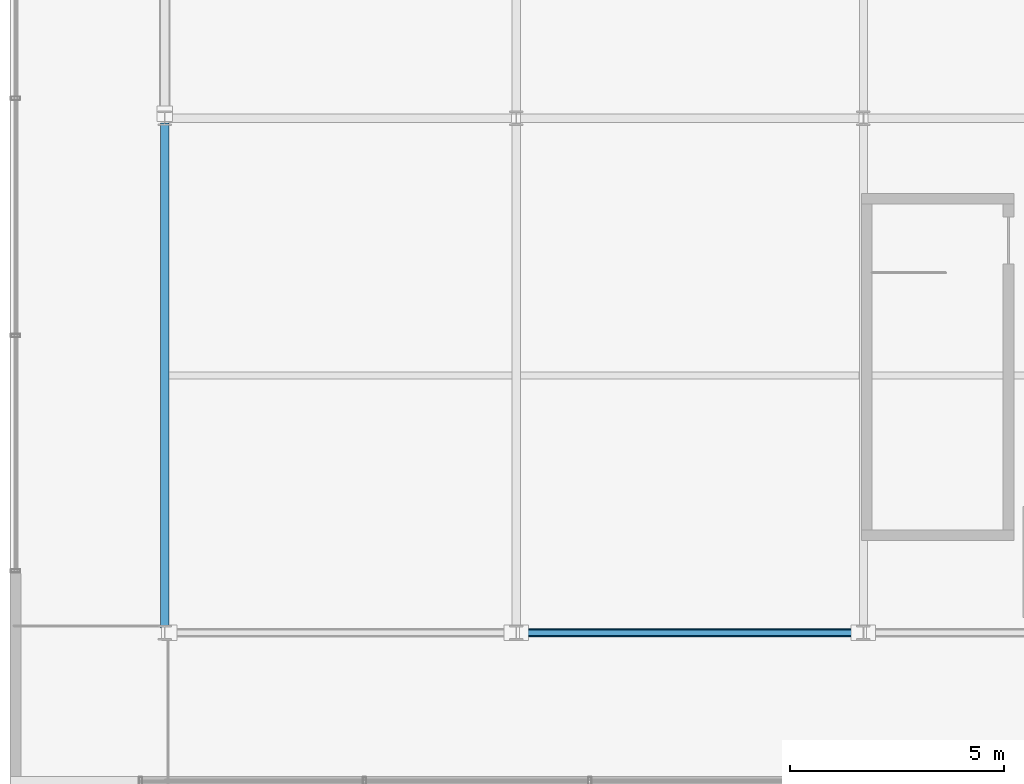
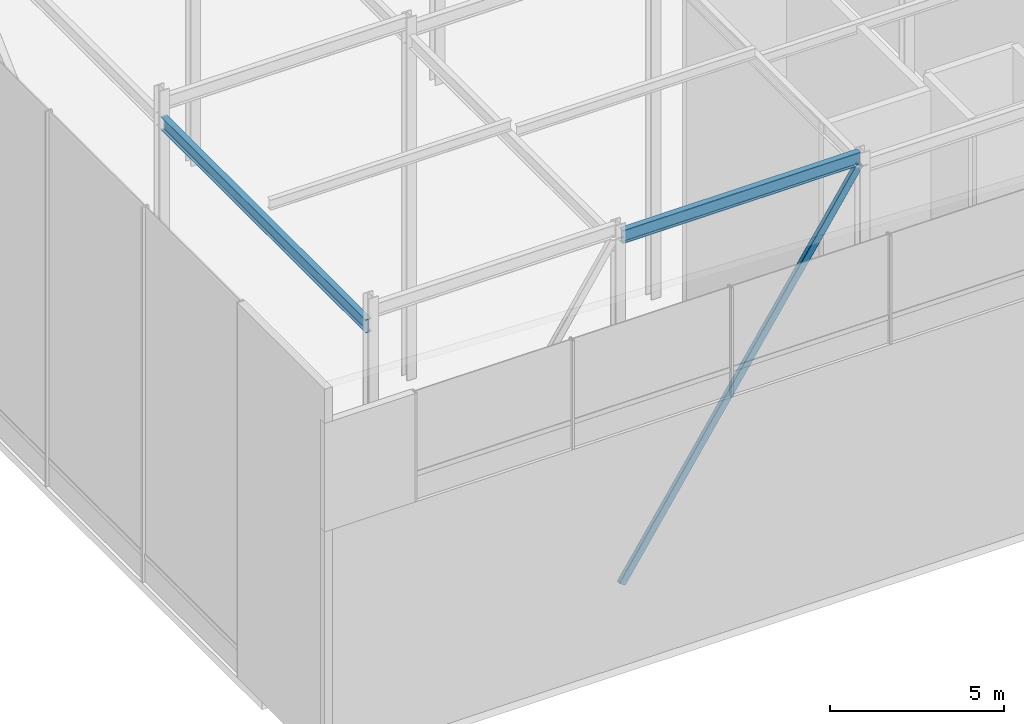
# One storey, part 6 of 39: 2 beams, 1 member.
"""IFC4 building model written with IfcOpenShell, lengths in metres."""

from ifc_helpers import new_model, si_unit, direction, frame, origin, origin_2d, place, context, subcontext, project, spatial, hollow_rectangle, i_section, extrude, material, material_profile, profile_set, type_object, element, save


model = new_model("IFC4")

# Units and contexts
model_context = context("Model", 3, precision=1e-05, world=origin(), true_north=direction((0.0, 1.0)))
body_context = subcontext(model_context, "Body", "Model", "MODEL_VIEW")
ifc_project = project(units=[si_unit("LENGTHUNIT", "METRE"), si_unit("AREAUNIT", "SQUARE_METRE"), si_unit("VOLUMEUNIT", "CUBIC_METRE"), si_unit("PLANEANGLEUNIT", "RADIAN"), si_unit("MASSUNIT", "GRAM", prefix="KILO")], contexts=[model_context])

# Site, building, storey
site_placement = place(None, origin())
site = spatial("IfcSite", under=ifc_project, at=site_placement, CompositionType="ELEMENT")
building_placement = place(site_placement, origin())
building = spatial("IfcBuilding", under=site, at=building_placement, Name="Korimba Cascade Residences", CompositionType="ELEMENT")
storey_placement = place(building_placement, frame((0.0, 0.0, 264.199951171875)))
storey = spatial("IfcBuildingStorey", under=building, at=storey_placement, Name="RF", CompositionType="ELEMENT", Elevation=264.199951171875)

# Beams
ifc_material = material(Name="Steel S355", Category="steel")
ifc_material_profile_1 = material_profile(ifc_material, i_section(OverallWidth=0.19140625, OverallDepth=0.4599609375, WebThickness=0.010009765625, FlangeThickness=0.01611328125, FilletRadius=0.01025390625, at=origin_2d()), Name="Steel S355")
ifc_profile_set_1 = profile_set([ifc_material_profile_1], Name="Steel S355")
beam_type = type_object("IfcBeamType", Name="BM-STL-UB457", PredefinedType="JOIST", material=ifc_profile_set_1)
beam_1_placement = place(storey_placement, frame((68.10498046875, 55.199951171875, 12.1806640625), z_axis=(1.0, 0.0, 0.0), x_axis=(0.0, 1.0, 0.0)))
element("IfcBeam", 1, at=beam_1_placement, inside=storey, type_object=beam_type, Name="RF Crown Cap Ring Beam W1.2", PredefinedType="JOIST", context=body_context, shape_type="SweptSolid", body=[
    extrude(i_section(OverallWidth=0.19140625, OverallDepth=0.4599609375, WebThickness=0.010009765625, FlangeThickness=0.01611328125, FilletRadius=0.01025390625, at=origin_2d()), origin(), (0.0, 0.0, 1.0), 7.89013671875),
])
beam_2_placement = place(storey_placement, frame((59.800048828125, 55.304931640625, 11.86865234375), z_axis=(0.0, 1.0, 0.0), x_axis=(-1.0, 0.0, 0.0)))
element("IfcBeam", 2, at=beam_2_placement, inside=storey, type_object=beam_type, Name="RF Crown Cap Tie Beam W1.1", PredefinedType="JOIST", context=body_context, shape_type="SweptSolid", body=[
    extrude(i_section(OverallWidth=0.19140625, OverallDepth=0.4599609375, WebThickness=0.010009765625, FlangeThickness=0.01611328125, FilletRadius=0.01025390625, at=origin_2d()), origin(), (0.0, 0.0, 1.0), 11.7900390625),
])

# Member
ifc_material_profile_2 = material_profile(ifc_material, hollow_rectangle(XDim=0.14990234375, YDim=0.25, WallThickness=0.009033203125, InnerFilletRadius=0.009033203125, OuterFilletRadius=0.01806640625, at=origin_2d()), Name="Steel S355")
ifc_profile_set_2 = profile_set([ifc_material_profile_2], Name="Steel S355")
member_type = type_object("IfcMemberType", Name="MEM-CRN-RHS250", PredefinedType="BRACE", material=ifc_profile_set_2)
member_placement = place(storey_placement, frame((68.10498046875, 55.199951171875, 0.0), z_axis=(0.550776914567, 0.0, 0.834652496779), x_axis=(0.0, 1.0, 0.0)))
element("IfcMember", 3, at=member_placement, inside=storey, type_object=member_type, Name="RF CROWN FRAME Diagonal Brace W1.2", PredefinedType="BRACE", context=body_context, shape_type="SweptSolid", body=[
    extrude(hollow_rectangle(XDim=0.14990234375, YDim=0.25, WallThickness=0.009033203125, InnerFilletRadius=0.009033203125, OuterFilletRadius=0.01806640625, at=origin_2d()), origin(), (0.0, 0.0, 1.0), 14.325439453125),
])

save(model, "model.ifc")
